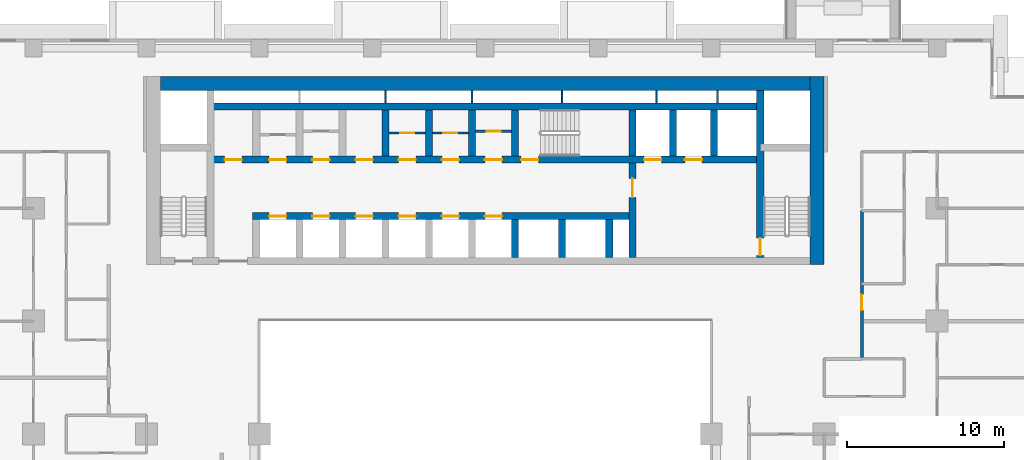
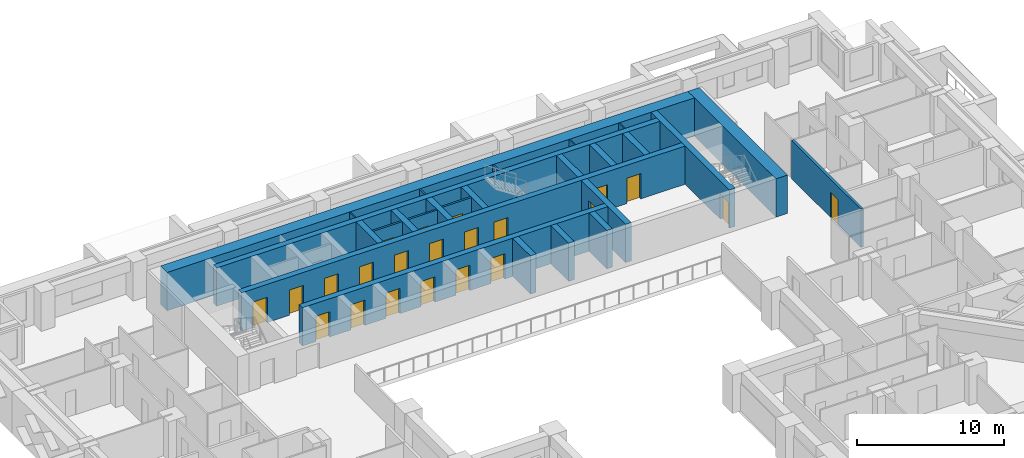
# One storey, part 10 of 16: 26 walls, 22 doors, 22 openings.
"""IFC4 building model written with IfcOpenShell, lengths in metres."""

from ifc_helpers import new_model, si_unit, direction, frame, frame_2d, origin, place, context, subcontext, project, spatial, rectangle, extrude, material, layer, layer_set, type_object, element, fill, save


model = new_model("IFC4")

# Units and contexts
model_context = context("Model", 3, precision=1e-05, world=origin(), true_north=direction((0.0, 1.0)))
body_context = subcontext(model_context, "Body", "Model", "MODEL_VIEW")
ifc_project = project(units=[si_unit("LENGTHUNIT", "METRE"), si_unit("AREAUNIT", "SQUARE_METRE"), si_unit("VOLUMEUNIT", "CUBIC_METRE"), si_unit("PLANEANGLEUNIT", "RADIAN"), si_unit("MASSUNIT", "GRAM", prefix="KILO")], contexts=[model_context])

# Site, building, storey
site_placement = place(None, origin())
site = spatial("IfcSite", under=ifc_project, at=site_placement, CompositionType="ELEMENT")
building_placement = place(site_placement, origin())
building = spatial("IfcBuilding", under=site, at=building_placement, Name="Saffron Iwan Residences", CompositionType="ELEMENT")
storey_placement = place(building_placement, frame((0.0, 0.0, 48.0)))
storey = spatial("IfcBuildingStorey", under=building, at=storey_placement, Name="L11", CompositionType="ELEMENT", Elevation=48.0)

# Wall, opening, door
ifc_material_1 = material(Name="Fire-rated plasterboard partition")
ifc_layer_1 = layer(ifc_material_1, 0.14990234375)
ifc_layer_set_1 = layer_set([ifc_layer_1], Name="Fire-rated plasterboard partition")
wall_type_1 = type_object("IfcWallType", Name="Core partition 150", PredefinedType="PARTITIONING", material=ifc_layer_set_1)
wall_1_placement = place(storey_placement, frame((44.27490234375, 74.39990234375, 0.0), z_axis=(0.0, 0.0, 1.0), x_axis=(1.0, 0.0, 0.0)))
wall_1 = element("IfcWall", 1, at=wall_1_placement, inside=storey, type_object=wall_type_1, Name="Core partition P03", PredefinedType="PARTITIONING", context=body_context, shape_type="SweptSolid", body=[
    extrude(rectangle(XDim=2.300048828125, YDim=0.14990234375, at=frame_2d((1.14990234375, 0.0))), origin(), (0.0, 0.0, 1.0), 3.179931640625),
])
opening_1_placement = place(wall_1_placement, frame((0.699951171875, 0.0, 0.0)))
opening_1 = element("IfcOpeningElement", 2, at=opening_1_placement, cuts=wall_1, Name="Opening SB", PredefinedType="OPENING", context=body_context, shape_type="SweptSolid", body=[
    extrude(rectangle(XDim=0.89990234375, YDim=2.10009765625, at=frame_2d((0.449951171875, 1.050048828125))), frame((0.0, 0.0849609375, 0.0), z_axis=(0.0, -1.0, 0.0), x_axis=(1.0, 0.0, 0.0)), (0.0, 0.0, 1.0), 0.169921875),
])
ifc_material_2 = material(Name="Steel fire door", Category="steel")
door_type_1 = type_object("IfcDoorType", Name="Store door 900", OperationType="NOTDEFINED", PredefinedType="DOOR", material=ifc_material_2)
door_1_placement = place(opening_1_placement, origin())
door_1 = element("IfcDoor", 3, at=door_1_placement, inside=storey, type_object=door_type_1, Name="Door Equipment store", OperationType="SINGLE_SWING_RIGHT", OverallHeight=2.10009765625, OverallWidth=0.89990234375, PredefinedType="DOOR", context=body_context, shape_type="SweptSolid", body=[
    extrude(rectangle(XDim=0.89990234375, YDim=2.10009765625, at=frame_2d((0.449951171875, 1.050048828125))), frame((0.0, 0.02490234375, 0.0), z_axis=(0.0, -1.0, 0.0), x_axis=(1.0, 0.0, 0.0)), (0.0, 0.0, 1.0), 0.050048828125),
])
fill(opening_1, door_1)

wall_2_placement = place(storey_placement, frame((47.02490234375, 74.39990234375, 0.0), z_axis=(0.0, 0.0, 1.0), x_axis=(1.0, 0.0, 0.0)))
wall_2 = element("IfcWall", 4, at=wall_2_placement, inside=storey, type_object=wall_type_1, Name="Core partition P04", PredefinedType="PARTITIONING", context=body_context, shape_type="SweptSolid", body=[
    extrude(rectangle(XDim=2.300048828125, YDim=0.14990234375, at=frame_2d((1.14990234375, 0.0))), origin(), (0.0, 0.0, 1.0), 3.179931640625),
])
opening_2_placement = place(wall_2_placement, frame((0.699951171875, 0.0, 0.0)))
opening_2 = element("IfcOpeningElement", 5, at=opening_2_placement, cuts=wall_2, Name="Opening SB", PredefinedType="OPENING", context=body_context, shape_type="SweptSolid", body=[
    extrude(rectangle(XDim=0.89990234375, YDim=2.10009765625, at=frame_2d((0.449951171875, 1.050048828125))), frame((0.0, 0.0849609375, 0.0), z_axis=(0.0, -1.0, 0.0), x_axis=(1.0, 0.0, 0.0)), (0.0, 0.0, 1.0), 0.169921875),
])
door_2_placement = place(opening_2_placement, origin())
door_2 = element("IfcDoor", 6, at=door_2_placement, inside=storey, type_object=door_type_1, Name="Door Mop store", OperationType="SINGLE_SWING_LEFT", OverallHeight=2.10009765625, OverallWidth=0.89990234375, PredefinedType="DOOR", context=body_context, shape_type="SweptSolid", body=[
    extrude(rectangle(XDim=0.89990234375, YDim=2.10009765625, at=frame_2d((0.449951171875, 1.050048828125))), frame((0.0, 0.02490234375, 0.0), z_axis=(0.0, -1.0, 0.0), x_axis=(1.0, 0.0, 0.0)), (0.0, 0.0, 1.0), 0.050048828125),
])
fill(opening_2, door_2)

wall_3_placement = place(storey_placement, frame((49.77490234375, 74.51806640625, 0.0), z_axis=(0.0, 0.0, 1.0), x_axis=(1.0, 0.0, 0.0)))
wall_3 = element("IfcWall", 7, at=wall_3_placement, inside=storey, type_object=wall_type_1, Name="Core partition P05", PredefinedType="PARTITIONING", context=body_context, shape_type="SweptSolid", body=[
    extrude(rectangle(XDim=2.300048828125, YDim=0.14990234375, at=frame_2d((1.14990234375, 0.0))), origin(), (0.0, 0.0, 1.0), 3.179931640625),
])
opening_3_placement = place(wall_3_placement, frame((0.699951171875, 0.0, 0.0)))
opening_3 = element("IfcOpeningElement", 8, at=opening_3_placement, cuts=wall_3, Name="Opening SB", PredefinedType="OPENING", context=body_context, shape_type="SweptSolid", body=[
    extrude(rectangle(XDim=0.89990234375, YDim=2.10009765625, at=frame_2d((0.449951171875, 1.050048828125))), frame((0.0, 0.0849609375, 0.0), z_axis=(0.0, -1.0, 0.0), x_axis=(1.0, 0.0, 0.0)), (0.0, 0.0, 1.0), 0.169921875),
])
door_3_placement = place(opening_3_placement, origin())
door_3 = element("IfcDoor", 9, at=door_3_placement, inside=storey, type_object=door_type_1, Name="Door Spares store", OperationType="SINGLE_SWING_LEFT", OverallHeight=2.10009765625, OverallWidth=0.89990234375, PredefinedType="DOOR", context=body_context, shape_type="SweptSolid", body=[
    extrude(rectangle(XDim=0.89990234375, YDim=2.10009765625, at=frame_2d((0.449951171875, 1.050048828125))), frame((0.0, 0.02490234375, 0.0), z_axis=(0.0, -1.0, 0.0), x_axis=(1.0, 0.0, 0.0)), (0.0, 0.0, 1.0), 0.050048828125),
])
fill(opening_3, door_3)

ifc_material_3 = material(Name="Fire-rated gypsum board wall")
ifc_layer_2 = layer(ifc_material_3, 0.199951171875)
ifc_layer_set_2 = layer_set([ifc_layer_2], Name="Fire-rated gypsum board wall")
wall_type_2 = type_object("IfcWallType", Name="Gallery wall 200", PredefinedType="SOLIDWALL", material=ifc_layer_set_2)
wall_4_placement = place(storey_placement, frame((74.39990234375, 60.0, 0.0), z_axis=(0.0, 0.0, 1.0), x_axis=(0.0, 1.0, 0.0)))
wall_4 = element("IfcWall", 10, at=wall_4_placement, inside=storey, type_object=wall_type_2, Name="W-L11-CORR-v74.4-60", PredefinedType="SOLIDWALL", context=body_context, shape_type="SweptSolid", body=[
    extrude(rectangle(XDim=9.449951171875, YDim=0.199951171875, at=frame_2d((4.72509765625, 0.0))), origin(), (0.0, 0.0, 1.0), 3.179931640625),
])
opening_4_placement = place(wall_4_placement, frame((3.10009765625, 0.0, 0.0)))
opening_4 = element("IfcOpeningElement", 11, at=opening_4_placement, cuts=wall_4, Name="Opening FD1", PredefinedType="OPENING", context=body_context, shape_type="SweptSolid", body=[
    extrude(rectangle(XDim=1.0, YDim=2.10009765625, at=frame_2d((0.5, 1.050048828125))), frame((0.0, 0.10986328125, 0.0), z_axis=(0.0, -1.0, 0.0), x_axis=(1.0, 0.0, 0.0)), (0.0, 0.0, 1.0), 0.219970703125),
])
ifc_material_4 = material(Name="Fire-rated timber door", Category="wood")
door_type_2 = type_object("IfcDoorType", Name="FD30S flat entrance door 1000", OperationType="NOTDEFINED", PredefinedType="DOOR", material=ifc_material_4)
door_4_placement = place(opening_4_placement, origin())
door_4 = element("IfcDoor", 12, at=door_4_placement, inside=storey, type_object=door_type_2, Name="Door L11-035", OperationType="SINGLE_SWING_RIGHT", OverallHeight=2.10009765625, OverallWidth=1.0, PredefinedType="DOOR", context=body_context, shape_type="SweptSolid", body=[
    extrude(rectangle(XDim=1.0, YDim=2.10009765625, at=frame_2d((0.5, 1.050048828125))), frame((0.0, 0.02490234375, 0.0), z_axis=(0.0, -1.0, 0.0), x_axis=(1.0, 0.0, 0.0)), (0.0, 0.0, 1.0), 0.050048828125),
])
fill(opening_4, door_4)

# Walls
ifc_layer_3 = layer(ifc_material_1, 0.10009765625)
ifc_layer_set_3 = layer_set([ifc_layer_3], Name="Fire-rated plasterboard partition")
wall_type_3 = type_object("IfcWallType", Name="Riser partition 100", PredefinedType="PARTITIONING", material=ifc_layer_set_3)
for number, where, z_axis, x_axis, name in (
    (13, (44.050048828125, 76.324951171875, 0.0), (0.0, 0.0, 1.0), (0.0, 1.0, 0.0), "Core partition P07"),
    (14, (49.550048828125, 76.324951171875, 0.0), (0.0, 0.0, 1.0), (0.0, 1.0, 0.0), "Core partition P08"),
    (15, (55.300048828125, 76.324951171875, 0.0), (0.0, 0.0, 1.0), (0.0, 1.0, 0.0), "Core partition P09"),
    (16, (61.300048828125, 76.324951171875, 0.0), (0.0, 0.0, 1.0), (0.0, 1.0, 0.0), "Core partition P10"),
    (17, (65.199951171875, 76.324951171875, 0.0), (0.0, 0.0, 1.0), (0.0, 1.0, 0.0), "Core partition P11"),
):
    element("IfcWall", number, at=place(storey_placement, frame(where, z_axis=z_axis, x_axis=x_axis)), inside=storey, type_object=wall_type_3, Name=name, PredefinedType="PARTITIONING", context=body_context, shape_type="SweptSolid", body=[
        extrude(rectangle(XDim=0.775146484375, YDim=0.10009765625, at=frame_2d((0.3876953125, 0.0))), origin(), (0.0, 0.0, 1.0), 3.179931640625),
    ])

# Wall, openings, doors
ifc_material_5 = material(Name="Concrete C60/75", Category="concrete")
ifc_layer_4 = layer(ifc_material_5, 0.449951171875)
ifc_layer_set_4 = layer_set([ifc_layer_4], Name="Concrete C60/75")
wall_type_4 = type_object("IfcWallType", Name="WALL CORE 450 C60/75 3180 HIGH", PredefinedType="SHEAR", material=ifc_layer_set_4)
wall_5_placement = place(storey_placement, frame((35.574951171875, 69.10009765625, 0.0), z_axis=(0.0, 0.0, 1.0), x_axis=(1.0, 0.0, 0.0)))
wall_5 = element("IfcWall", 18, at=wall_5_placement, inside=storey, type_object=wall_type_4, Name="Core wall", PredefinedType="SHEAR", context=body_context, shape_type="SweptSolid", body=[
    extrude(rectangle(XDim=24.199951171875, YDim=0.449951171875, at=frame_2d((12.10009765625, 0.0))), origin(), (0.0, 0.0, 1.0), 3.179931640625),
])
opening_5_placement = place(wall_5_placement, frame((1.050048828125, 0.0, 0.0)))
opening_5 = element("IfcOpeningElement", 19, at=opening_5_placement, cuts=wall_5, Name="Opening LD", PredefinedType="OPENING", context=body_context, shape_type="SweptSolid", body=[
    extrude(rectangle(XDim=1.10009765625, YDim=2.10009765625, at=frame_2d((0.550048828125, 1.050048828125))), frame((0.0, 0.23486328125, 0.0), z_axis=(0.0, -1.0, 0.0), x_axis=(1.0, 0.0, 0.0)), (0.0, 0.0, 1.0), 0.469970703125),
])
opening_6_placement = place(wall_5_placement, frame((3.800048828125, 0.0, 0.0)))
opening_6 = element("IfcOpeningElement", 20, at=opening_6_placement, cuts=wall_5, Name="Opening LD", PredefinedType="OPENING", context=body_context, shape_type="SweptSolid", body=[
    extrude(rectangle(XDim=1.10009765625, YDim=2.10009765625, at=frame_2d((0.550048828125, 1.050048828125))), frame((0.0, 0.23486328125, 0.0), z_axis=(0.0, -1.0, 0.0), x_axis=(1.0, 0.0, 0.0)), (0.0, 0.0, 1.0), 0.469970703125),
])
opening_7_placement = place(wall_5_placement, frame((6.550048828125, 0.0, 0.0)))
opening_7 = element("IfcOpeningElement", 21, at=opening_7_placement, cuts=wall_5, Name="Opening LD", PredefinedType="OPENING", context=body_context, shape_type="SweptSolid", body=[
    extrude(rectangle(XDim=1.10009765625, YDim=2.10009765625, at=frame_2d((0.550048828125, 1.050048828125))), frame((0.0, 0.23486328125, 0.0), z_axis=(0.0, -1.0, 0.0), x_axis=(1.0, 0.0, 0.0)), (0.0, 0.0, 1.0), 0.469970703125),
])
opening_8_placement = place(wall_5_placement, frame((9.300048828125, 0.0, 0.0)))
opening_8 = element("IfcOpeningElement", 22, at=opening_8_placement, cuts=wall_5, Name="Opening LD", PredefinedType="OPENING", context=body_context, shape_type="SweptSolid", body=[
    extrude(rectangle(XDim=1.10009765625, YDim=2.10009765625, at=frame_2d((0.550048828125, 1.050048828125))), frame((0.0, 0.23486328125, 0.0), z_axis=(0.0, -1.0, 0.0), x_axis=(1.0, 0.0, 0.0)), (0.0, 0.0, 1.0), 0.469970703125),
])
opening_9_placement = place(wall_5_placement, frame((12.050048828125, 0.0, 0.0)))
opening_9 = element("IfcOpeningElement", 23, at=opening_9_placement, cuts=wall_5, Name="Opening LD", PredefinedType="OPENING", context=body_context, shape_type="SweptSolid", body=[
    extrude(rectangle(XDim=1.10009765625, YDim=2.10009765625, at=frame_2d((0.550048828125, 1.050048828125))), frame((0.0, 0.23486328125, 0.0), z_axis=(0.0, -1.0, 0.0), x_axis=(1.0, 0.0, 0.0)), (0.0, 0.0, 1.0), 0.469970703125),
])
opening_10_placement = place(wall_5_placement, frame((14.800048828125, 0.0, 0.0)))
opening_10 = element("IfcOpeningElement", 24, at=opening_10_placement, cuts=wall_5, Name="Opening LD", PredefinedType="OPENING", context=body_context, shape_type="SweptSolid", body=[
    extrude(rectangle(XDim=1.10009765625, YDim=2.10009765625, at=frame_2d((0.550048828125, 1.050048828125))), frame((0.0, 0.23486328125, 0.0), z_axis=(0.0, -1.0, 0.0), x_axis=(1.0, 0.0, 0.0)), (0.0, 0.0, 1.0), 0.469970703125),
])
door_type_3 = type_object("IfcDoorType", Name="Lift landing door 1100", OperationType="SLIDING_TO_LEFT", PredefinedType="DOOR", material=ifc_material_2)
door_5_placement = place(opening_5_placement, origin())
door_5 = element("IfcDoor", 25, at=door_5_placement, inside=storey, type_object=door_type_3, Name="Landing doors LR1", OperationType="SLIDING_TO_LEFT", OverallHeight=2.10009765625, OverallWidth=1.10009765625, PredefinedType="DOOR", context=body_context, shape_type="SweptSolid", body=[
    extrude(rectangle(XDim=1.10009765625, YDim=2.10009765625, at=frame_2d((0.550048828125, 1.050048828125))), frame((0.0, 0.02490234375, 0.0), z_axis=(0.0, -1.0, 0.0), x_axis=(1.0, 0.0, 0.0)), (0.0, 0.0, 1.0), 0.050048828125),
])
fill(opening_5, door_5)
door_6_placement = place(opening_6_placement, origin())
door_6 = element("IfcDoor", 26, at=door_6_placement, inside=storey, type_object=door_type_3, Name="Landing doors LR2", OperationType="SLIDING_TO_LEFT", OverallHeight=2.10009765625, OverallWidth=1.10009765625, PredefinedType="DOOR", context=body_context, shape_type="SweptSolid", body=[
    extrude(rectangle(XDim=1.10009765625, YDim=2.10009765625, at=frame_2d((0.550048828125, 1.050048828125))), frame((0.0, 0.02490234375, 0.0), z_axis=(0.0, -1.0, 0.0), x_axis=(1.0, 0.0, 0.0)), (0.0, 0.0, 1.0), 0.050048828125),
])
fill(opening_6, door_6)
door_7_placement = place(opening_7_placement, origin())
door_7 = element("IfcDoor", 27, at=door_7_placement, inside=storey, type_object=door_type_3, Name="Landing doors LR3", OperationType="SLIDING_TO_LEFT", OverallHeight=2.10009765625, OverallWidth=1.10009765625, PredefinedType="DOOR", context=body_context, shape_type="SweptSolid", body=[
    extrude(rectangle(XDim=1.10009765625, YDim=2.10009765625, at=frame_2d((0.550048828125, 1.050048828125))), frame((0.0, 0.02490234375, 0.0), z_axis=(0.0, -1.0, 0.0), x_axis=(1.0, 0.0, 0.0)), (0.0, 0.0, 1.0), 0.050048828125),
])
fill(opening_7, door_7)
door_8_placement = place(opening_8_placement, origin())
door_8 = element("IfcDoor", 28, at=door_8_placement, inside=storey, type_object=door_type_3, Name="Landing doors LR4", OperationType="SLIDING_TO_LEFT", OverallHeight=2.10009765625, OverallWidth=1.10009765625, PredefinedType="DOOR", context=body_context, shape_type="SweptSolid", body=[
    extrude(rectangle(XDim=1.10009765625, YDim=2.10009765625, at=frame_2d((0.550048828125, 1.050048828125))), frame((0.0, 0.02490234375, 0.0), z_axis=(0.0, -1.0, 0.0), x_axis=(1.0, 0.0, 0.0)), (0.0, 0.0, 1.0), 0.050048828125),
])
fill(opening_8, door_8)
door_9_placement = place(opening_9_placement, origin())
door_9 = element("IfcDoor", 29, at=door_9_placement, inside=storey, type_object=door_type_3, Name="Landing doors LR5", OperationType="SLIDING_TO_LEFT", OverallHeight=2.10009765625, OverallWidth=1.10009765625, PredefinedType="DOOR", context=body_context, shape_type="SweptSolid", body=[
    extrude(rectangle(XDim=1.10009765625, YDim=2.10009765625, at=frame_2d((0.550048828125, 1.050048828125))), frame((0.0, 0.02490234375, 0.0), z_axis=(0.0, -1.0, 0.0), x_axis=(1.0, 0.0, 0.0)), (0.0, 0.0, 1.0), 0.050048828125),
])
fill(opening_9, door_9)
door_10_placement = place(opening_10_placement, origin())
door_10 = element("IfcDoor", 30, at=door_10_placement, inside=storey, type_object=door_type_3, Name="Landing doors LR6", OperationType="SLIDING_TO_LEFT", OverallHeight=2.10009765625, OverallWidth=1.10009765625, PredefinedType="DOOR", context=body_context, shape_type="SweptSolid", body=[
    extrude(rectangle(XDim=1.10009765625, YDim=2.10009765625, at=frame_2d((0.550048828125, 1.050048828125))), frame((0.0, 0.02490234375, 0.0), z_axis=(0.0, -1.0, 0.0), x_axis=(1.0, 0.0, 0.0)), (0.0, 0.0, 1.0), 0.050048828125),
])
fill(opening_10, door_10)

wall_6_placement = place(storey_placement, frame((32.875, 72.699951171875, 0.0), z_axis=(0.0, 0.0, 1.0), x_axis=(1.0, 0.0, 0.0)))
wall_6 = element("IfcWall", 31, at=wall_6_placement, inside=storey, type_object=wall_type_4, Name="Core wall", PredefinedType="SHEAR", context=body_context, shape_type="SweptSolid", body=[
    extrude(rectangle(XDim=35.050048828125, YDim=0.449951171875, at=frame_2d((17.52490234375, 0.0))), origin(), (0.0, 0.0, 1.0), 3.179931640625),
])
opening_11_placement = place(wall_6_placement, frame((19.800048828125, 0.0, 0.0)))
opening_11 = element("IfcOpeningElement", 32, at=opening_11_placement, cuts=wall_6, Name="Opening SD", PredefinedType="OPENING", context=body_context, shape_type="SweptSolid", body=[
    extrude(rectangle(XDim=1.10009765625, YDim=2.10009765625, at=frame_2d((0.550048828125, 1.050048828125))), frame((0.0, 0.23486328125, 0.0), z_axis=(0.0, -1.0, 0.0), x_axis=(1.0, 0.0, 0.0)), (0.0, 0.0, 1.0), 0.469970703125),
])
opening_12_placement = place(wall_6_placement, frame((27.64990234375, 0.0, 0.0)))
opening_12 = element("IfcOpeningElement", 33, at=opening_12_placement, cuts=wall_6, Name="Opening LD", PredefinedType="OPENING", context=body_context, shape_type="SweptSolid", body=[
    extrude(rectangle(XDim=1.10009765625, YDim=2.10009765625, at=frame_2d((0.550048828125, 1.050048828125))), frame((0.0, 0.23486328125, 0.0), z_axis=(0.0, -1.0, 0.0), x_axis=(1.0, 0.0, 0.0)), (0.0, 0.0, 1.0), 0.469970703125),
])
opening_13_placement = place(wall_6_placement, frame((30.25, 0.0, 0.0)))
opening_13 = element("IfcOpeningElement", 34, at=opening_13_placement, cuts=wall_6, Name="Opening LD", PredefinedType="OPENING", context=body_context, shape_type="SweptSolid", body=[
    extrude(rectangle(XDim=1.10009765625, YDim=2.10009765625, at=frame_2d((0.550048828125, 1.050048828125))), frame((0.0, 0.23486328125, 0.0), z_axis=(0.0, -1.0, 0.0), x_axis=(1.0, 0.0, 0.0)), (0.0, 0.0, 1.0), 0.469970703125),
])
opening_14_placement = place(wall_6_placement, frame((3.75, 0.0, 0.0)))
opening_14 = element("IfcOpeningElement", 35, at=opening_14_placement, cuts=wall_6, Name="Opening SR", PredefinedType="OPENING", context=body_context, shape_type="SweptSolid", body=[
    extrude(rectangle(XDim=1.10009765625, YDim=2.10009765625, at=frame_2d((0.550048828125, 1.050048828125))), frame((0.0, 0.23486328125, 0.0), z_axis=(0.0, -1.0, 0.0), x_axis=(1.0, 0.0, 0.0)), (0.0, 0.0, 1.0), 0.469970703125),
])
opening_15_placement = place(wall_6_placement, frame((6.5, 0.0, 0.0)))
opening_15 = element("IfcOpeningElement", 36, at=opening_15_placement, cuts=wall_6, Name="Opening SR", PredefinedType="OPENING", context=body_context, shape_type="SweptSolid", body=[
    extrude(rectangle(XDim=1.10009765625, YDim=2.10009765625, at=frame_2d((0.550048828125, 1.050048828125))), frame((0.0, 0.23486328125, 0.0), z_axis=(0.0, -1.0, 0.0), x_axis=(1.0, 0.0, 0.0)), (0.0, 0.0, 1.0), 0.469970703125),
])
opening_16_placement = place(wall_6_placement, frame((9.25, 0.0, 0.0)))
opening_16 = element("IfcOpeningElement", 37, at=opening_16_placement, cuts=wall_6, Name="Opening SR", PredefinedType="OPENING", context=body_context, shape_type="SweptSolid", body=[
    extrude(rectangle(XDim=1.10009765625, YDim=2.10009765625, at=frame_2d((0.550048828125, 1.050048828125))), frame((0.0, 0.23486328125, 0.0), z_axis=(0.0, -1.0, 0.0), x_axis=(1.0, 0.0, 0.0)), (0.0, 0.0, 1.0), 0.469970703125),
])
opening_17_placement = place(wall_6_placement, frame((12.0, 0.0, 0.0)))
opening_17 = element("IfcOpeningElement", 38, at=opening_17_placement, cuts=wall_6, Name="Opening SR", PredefinedType="OPENING", context=body_context, shape_type="SweptSolid", body=[
    extrude(rectangle(XDim=1.10009765625, YDim=2.10009765625, at=frame_2d((0.550048828125, 1.050048828125))), frame((0.0, 0.23486328125, 0.0), z_axis=(0.0, -1.0, 0.0), x_axis=(1.0, 0.0, 0.0)), (0.0, 0.0, 1.0), 0.469970703125),
])
opening_18_placement = place(wall_6_placement, frame((14.75, 0.0, 0.0)))
opening_18 = element("IfcOpeningElement", 39, at=opening_18_placement, cuts=wall_6, Name="Opening SR", PredefinedType="OPENING", context=body_context, shape_type="SweptSolid", body=[
    extrude(rectangle(XDim=1.10009765625, YDim=2.10009765625, at=frame_2d((0.550048828125, 1.050048828125))), frame((0.0, 0.23486328125, 0.0), z_axis=(0.0, -1.0, 0.0), x_axis=(1.0, 0.0, 0.0)), (0.0, 0.0, 1.0), 0.469970703125),
])
opening_19_placement = place(wall_6_placement, frame((17.5, 0.0, 0.0)))
opening_19 = element("IfcOpeningElement", 40, at=opening_19_placement, cuts=wall_6, Name="Opening SR", PredefinedType="OPENING", context=body_context, shape_type="SweptSolid", body=[
    extrude(rectangle(XDim=1.10009765625, YDim=2.10009765625, at=frame_2d((0.550048828125, 1.050048828125))), frame((0.0, 0.23486328125, 0.0), z_axis=(0.0, -1.0, 0.0), x_axis=(1.0, 0.0, 0.0)), (0.0, 0.0, 1.0), 0.469970703125),
])
opening_20_placement = place(wall_6_placement, frame((0.91259765625, 0.0, 0.0)))
opening_20 = element("IfcOpeningElement", 41, at=opening_20_placement, cuts=wall_6, Name="Opening SR", PredefinedType="OPENING", context=body_context, shape_type="SweptSolid", body=[
    extrude(rectangle(XDim=1.10009765625, YDim=2.10009765625, at=frame_2d((0.550048828125, 1.050048828125))), frame((0.0, 0.23486328125, 0.0), z_axis=(0.0, -1.0, 0.0), x_axis=(1.0, 0.0, 0.0)), (0.0, 0.0, 1.0), 0.469970703125),
])
door_11_placement = place(opening_12_placement, origin())
door_11 = element("IfcDoor", 42, at=door_11_placement, inside=storey, type_object=door_type_3, Name="Landing doors FF1", OperationType="SLIDING_TO_LEFT", OverallHeight=2.10009765625, OverallWidth=1.10009765625, PredefinedType="DOOR", context=body_context, shape_type="SweptSolid", body=[
    extrude(rectangle(XDim=1.10009765625, YDim=2.10009765625, at=frame_2d((0.550048828125, 1.050048828125))), frame((0.0, 0.02490234375, 0.0), z_axis=(0.0, -1.0, 0.0), x_axis=(1.0, 0.0, 0.0)), (0.0, 0.0, 1.0), 0.050048828125),
])
fill(opening_12, door_11)
door_12_placement = place(opening_13_placement, origin())
door_12 = element("IfcDoor", 43, at=door_12_placement, inside=storey, type_object=door_type_3, Name="Landing doors FF2", OperationType="SLIDING_TO_LEFT", OverallHeight=2.10009765625, OverallWidth=1.10009765625, PredefinedType="DOOR", context=body_context, shape_type="SweptSolid", body=[
    extrude(rectangle(XDim=1.10009765625, YDim=2.10009765625, at=frame_2d((0.550048828125, 1.050048828125))), frame((0.0, 0.02490234375, 0.0), z_axis=(0.0, -1.0, 0.0), x_axis=(1.0, 0.0, 0.0)), (0.0, 0.0, 1.0), 0.050048828125),
])
fill(opening_13, door_12)
door_type_4 = type_object("IfcDoorType", Name="Service door 1100", OperationType="NOTDEFINED", PredefinedType="DOOR", material=ifc_material_2)
door_13_placement = place(opening_14_placement, origin())
door_13 = element("IfcDoor", 44, at=door_13_placement, inside=storey, type_object=door_type_4, Name="Door Switch room", OperationType="SINGLE_SWING_LEFT", OverallHeight=2.10009765625, OverallWidth=1.10009765625, PredefinedType="DOOR", context=body_context, shape_type="SweptSolid", body=[
    extrude(rectangle(XDim=1.10009765625, YDim=2.10009765625, at=frame_2d((0.550048828125, 1.050048828125))), frame((0.0, 0.02490234375, 0.0), z_axis=(0.0, -1.0, 0.0), x_axis=(1.0, 0.0, 0.0)), (0.0, 0.0, 1.0), 0.050048828125),
])
fill(opening_14, door_13)
door_14_placement = place(opening_15_placement, origin())
door_14 = element("IfcDoor", 45, at=door_14_placement, inside=storey, type_object=door_type_4, Name="Door Furniture store", OperationType="SINGLE_SWING_LEFT", OverallHeight=2.10009765625, OverallWidth=1.10009765625, PredefinedType="DOOR", context=body_context, shape_type="SweptSolid", body=[
    extrude(rectangle(XDim=1.10009765625, YDim=2.10009765625, at=frame_2d((0.550048828125, 1.050048828125))), frame((0.0, 0.02490234375, 0.0), z_axis=(0.0, -1.0, 0.0), x_axis=(1.0, 0.0, 0.0)), (0.0, 0.0, 1.0), 0.050048828125),
])
fill(opening_15, door_14)
door_15_placement = place(opening_16_placement, origin())
door_15 = element("IfcDoor", 46, at=door_15_placement, inside=storey, type_object=door_type_4, Name="Door Housekeeping store", OperationType="SINGLE_SWING_LEFT", OverallHeight=2.10009765625, OverallWidth=1.10009765625, PredefinedType="DOOR", context=body_context, shape_type="SweptSolid", body=[
    extrude(rectangle(XDim=1.10009765625, YDim=2.10009765625, at=frame_2d((0.550048828125, 1.050048828125))), frame((0.0, 0.02490234375, 0.0), z_axis=(0.0, -1.0, 0.0), x_axis=(1.0, 0.0, 0.0)), (0.0, 0.0, 1.0), 0.050048828125),
])
fill(opening_16, door_15)
door_16_placement = place(opening_17_placement, origin())
door_16 = element("IfcDoor", 47, at=door_16_placement, inside=storey, type_object=door_type_4, Name="Door Cleaner's store", OperationType="SINGLE_SWING_LEFT", OverallHeight=2.10009765625, OverallWidth=1.10009765625, PredefinedType="DOOR", context=body_context, shape_type="SweptSolid", body=[
    extrude(rectangle(XDim=1.10009765625, YDim=2.10009765625, at=frame_2d((0.550048828125, 1.050048828125))), frame((0.0, 0.02490234375, 0.0), z_axis=(0.0, -1.0, 0.0), x_axis=(1.0, 0.0, 0.0)), (0.0, 0.0, 1.0), 0.050048828125),
])
fill(opening_17, door_16)
door_17_placement = place(opening_18_placement, origin())
door_17 = element("IfcDoor", 48, at=door_17_placement, inside=storey, type_object=door_type_4, Name="Door Trolley store", OperationType="SINGLE_SWING_LEFT", OverallHeight=2.10009765625, OverallWidth=1.10009765625, PredefinedType="DOOR", context=body_context, shape_type="SweptSolid", body=[
    extrude(rectangle(XDim=1.10009765625, YDim=2.10009765625, at=frame_2d((0.550048828125, 1.050048828125))), frame((0.0, 0.02490234375, 0.0), z_axis=(0.0, -1.0, 0.0), x_axis=(1.0, 0.0, 0.0)), (0.0, 0.0, 1.0), 0.050048828125),
])
fill(opening_18, door_17)
door_18_placement = place(opening_19_placement, origin())
door_18 = element("IfcDoor", 49, at=door_18_placement, inside=storey, type_object=door_type_4, Name="Door Communications room", OperationType="SINGLE_SWING_LEFT", OverallHeight=2.10009765625, OverallWidth=1.10009765625, PredefinedType="DOOR", context=body_context, shape_type="SweptSolid", body=[
    extrude(rectangle(XDim=1.10009765625, YDim=2.10009765625, at=frame_2d((0.550048828125, 1.050048828125))), frame((0.0, 0.02490234375, 0.0), z_axis=(0.0, -1.0, 0.0), x_axis=(1.0, 0.0, 0.0)), (0.0, 0.0, 1.0), 0.050048828125),
])
fill(opening_19, door_18)
door_19_placement = place(opening_20_placement, origin())
door_19 = element("IfcDoor", 50, at=door_19_placement, inside=storey, type_object=door_type_4, Name="Door Meter room", OperationType="SINGLE_SWING_LEFT", OverallHeight=2.10009765625, OverallWidth=1.10009765625, PredefinedType="DOOR", context=body_context, shape_type="SweptSolid", body=[
    extrude(rectangle(XDim=1.10009765625, YDim=2.10009765625, at=frame_2d((0.550048828125, 1.050048828125))), frame((0.0, 0.02490234375, 0.0), z_axis=(0.0, -1.0, 0.0), x_axis=(1.0, 0.0, 0.0)), (0.0, 0.0, 1.0), 0.050048828125),
])
fill(opening_20, door_19)
door_type_5 = type_object("IfcDoorType", Name="Stair door 1100", OperationType="NOTDEFINED", PredefinedType="DOOR", material=ifc_material_2)
door_20_placement = place(opening_11_placement, origin())
door_20 = element("IfcDoor", 51, at=door_20_placement, inside=storey, type_object=door_type_5, Name="Stair door ST-C", OperationType="SINGLE_SWING_LEFT", OverallHeight=2.10009765625, OverallWidth=1.10009765625, PredefinedType="DOOR", context=body_context, shape_type="SweptSolid", body=[
    extrude(rectangle(XDim=1.10009765625, YDim=2.10009765625, at=frame_2d((0.550048828125, 1.050048828125))), frame((0.0, 0.02490234375, 0.0), z_axis=(0.0, -1.0, 0.0), x_axis=(1.0, 0.0, 0.0)), (0.0, 0.0, 1.0), 0.050048828125),
])
fill(opening_11, door_20)

# Wall
wall_7_placement = place(storey_placement, frame((32.875, 76.10009765625, 0.0), z_axis=(0.0, 0.0, 1.0), x_axis=(1.0, 0.0, 0.0)))
element("IfcWall", 52, at=wall_7_placement, inside=storey, type_object=wall_type_4, Name="Core wall", PredefinedType="SHEAR", context=body_context, shape_type="SweptSolid", body=[
    extrude(rectangle(XDim=35.050048828125, YDim=0.449951171875, at=frame_2d((17.52490234375, 0.0))), origin(), (0.0, 0.0, 1.0), 3.179931640625),
])

# Wall, opening, door
wall_8_placement = place(storey_placement, frame((67.925048828125, 66.449951171875, 0.0), z_axis=(0.0, 0.0, 1.0), x_axis=(0.0, 1.0, 0.0)))
wall_8 = element("IfcWall", 53, at=wall_8_placement, inside=storey, type_object=wall_type_4, Name="Core wall", PredefinedType="SHEAR", context=body_context, shape_type="SweptSolid", body=[
    extrude(rectangle(XDim=10.650146484375, YDim=0.449951171875, at=frame_2d((5.3251953125, 0.0))), origin(), (0.0, 0.0, 1.0), 3.179931640625),
])
opening_21_placement = place(wall_8_placement, frame((0.14990234375, 0.0, 0.0)))
opening_21 = element("IfcOpeningElement", 54, at=opening_21_placement, cuts=wall_8, Name="Opening SD", PredefinedType="OPENING", context=body_context, shape_type="SweptSolid", body=[
    extrude(rectangle(XDim=1.10009765625, YDim=2.10009765625, at=frame_2d((0.550048828125, 1.050048828125))), frame((0.0, 0.23486328125, 0.0), z_axis=(0.0, -1.0, 0.0), x_axis=(1.0, 0.0, 0.0)), (0.0, 0.0, 1.0), 0.469970703125),
])
door_21_placement = place(opening_21_placement, origin())
door_21 = element("IfcDoor", 55, at=door_21_placement, inside=storey, type_object=door_type_5, Name="Stair door ST-E", OperationType="SINGLE_SWING_LEFT", OverallHeight=2.10009765625, OverallWidth=1.10009765625, PredefinedType="DOOR", context=body_context, shape_type="SweptSolid", body=[
    extrude(rectangle(XDim=1.10009765625, YDim=2.10009765625, at=frame_2d((0.550048828125, 1.050048828125))), frame((0.0, 0.02490234375, 0.0), z_axis=(0.0, -1.0, 0.0), x_axis=(1.0, 0.0, 0.0)), (0.0, 0.0, 1.0), 0.050048828125),
])
fill(opening_21, door_21)

wall_9_placement = place(storey_placement, frame((59.77490234375, 66.449951171875, 0.0), z_axis=(0.0, 0.0, 1.0), x_axis=(0.0, 1.0, 0.0)))
wall_9 = element("IfcWall", 56, at=wall_9_placement, inside=storey, type_object=wall_type_4, Name="Core wall", PredefinedType="SHEAR", context=body_context, shape_type="SweptSolid", body=[
    extrude(rectangle(XDim=6.025146484375, YDim=0.449951171875, at=frame_2d((3.0126953125, 0.0))), origin(), (0.0, 0.0, 1.0), 3.179931640625),
])
opening_22_placement = place(wall_9_placement, frame((3.85009765625, 0.0, 0.0)))
opening_22 = element("IfcOpeningElement", 57, at=opening_22_placement, cuts=wall_9, Name="Opening FD", PredefinedType="OPENING", context=body_context, shape_type="SweptSolid", body=[
    extrude(rectangle(XDim=1.199951171875, YDim=2.10009765625, at=frame_2d((0.60009765625, 1.050048828125))), frame((0.0, 0.23486328125, 0.0), z_axis=(0.0, -1.0, 0.0), x_axis=(1.0, 0.0, 0.0)), (0.0, 0.0, 1.0), 0.469970703125),
])
door_type_6 = type_object("IfcDoorType", Name="Firefighting lobby door 1200", OperationType="NOTDEFINED", PredefinedType="DOOR", material=ifc_material_2)
door_22_placement = place(opening_22_placement, origin())
door_22 = element("IfcDoor", 58, at=door_22_placement, inside=storey, type_object=door_type_6, Name="Firefighting lobby door", OperationType="SINGLE_SWING_RIGHT", OverallHeight=2.10009765625, OverallWidth=1.199951171875, PredefinedType="DOOR", context=body_context, shape_type="SweptSolid", body=[
    extrude(rectangle(XDim=1.199951171875, YDim=2.10009765625, at=frame_2d((0.60009765625, 1.050048828125))), frame((0.0, 0.02490234375, 0.0), z_axis=(0.0, -1.0, 0.0), x_axis=(1.0, 0.0, 0.0)), (0.0, 0.0, 1.0), 0.050048828125),
])
fill(opening_22, door_22)

# Walls
wall_10_placement = place(storey_placement, frame((59.77490234375, 72.925048828125, 0.0), z_axis=(0.0, 0.0, 1.0), x_axis=(0.0, 1.0, 0.0)))
element("IfcWall", 59, at=wall_10_placement, inside=storey, type_object=wall_type_4, Name="Core wall", PredefinedType="SHEAR", context=body_context, shape_type="SweptSolid", body=[
    extrude(rectangle(XDim=2.949951171875, YDim=0.449951171875, at=frame_2d((1.47509765625, 0.0))), origin(), (0.0, 0.0, 1.0), 3.179931640625),
])
for number, where, z_axis, x_axis, name in (
    (60, (52.300048828125, 66.449951171875, 0.0), (0.0, 0.0, 1.0), (0.0, 1.0, 0.0), "Core wall"),
    (61, (55.300048828125, 66.449951171875, 0.0), (0.0, 0.0, 1.0), (0.0, 1.0, 0.0), "Core wall"),
    (62, (58.300048828125, 66.449951171875, 0.0), (0.0, 0.0, 1.0), (0.0, 1.0, 0.0), "Core wall"),
):
    element("IfcWall", number, at=place(storey_placement, frame(where, z_axis=z_axis, x_axis=x_axis)), inside=storey, type_object=wall_type_4, Name=name, PredefinedType="SHEAR", context=body_context, shape_type="SweptSolid", body=[
        extrude(rectangle(XDim=2.425048828125, YDim=0.449951171875, at=frame_2d((1.21240234375, 0.0))), origin(), (0.0, 0.0, 1.0), 3.179931640625),
    ])
for number, where, z_axis, x_axis, name in (
    (63, (44.050048828125, 72.925048828125, 0.0), (0.0, 0.0, 1.0), (0.0, 1.0, 0.0), "Core wall"),
    (64, (46.800048828125, 72.925048828125, 0.0), (0.0, 0.0, 1.0), (0.0, 1.0, 0.0), "Core wall"),
    (65, (49.550048828125, 72.925048828125, 0.0), (0.0, 0.0, 1.0), (0.0, 1.0, 0.0), "Core wall"),
    (66, (52.300048828125, 72.925048828125, 0.0), (0.0, 0.0, 1.0), (0.0, 1.0, 0.0), "Core wall"),
    (67, (62.375, 72.925048828125, 0.0), (0.0, 0.0, 1.0), (0.0, 1.0, 0.0), "Core wall"),
    (68, (64.97509765625, 72.925048828125, 0.0), (0.0, 0.0, 1.0), (0.0, 1.0, 0.0), "Core wall"),
):
    element("IfcWall", number, at=place(storey_placement, frame(where, z_axis=z_axis, x_axis=x_axis)), inside=storey, type_object=wall_type_4, Name=name, PredefinedType="SHEAR", context=body_context, shape_type="SweptSolid", body=[
        extrude(rectangle(XDim=2.949951171875, YDim=0.449951171875, at=frame_2d((1.47509765625, 0.0))), origin(), (0.0, 0.0, 1.0), 3.179931640625),
    ])
ifc_layer_5 = layer(ifc_material_5, 0.89990234375)
ifc_layer_set_5 = layer_set([ifc_layer_5], Name="Concrete C60/75")
wall_type_5 = type_object("IfcWallType", Name="WALL CORE 900 C60/75 3180 HIGH", PredefinedType="SHEAR", material=ifc_layer_set_5)
wall_11_placement = place(storey_placement, frame((71.550048828125, 66.0, 0.0), z_axis=(0.0, 0.0, 1.0), x_axis=(0.0, 1.0, 0.0)))
element("IfcWall", 69, at=wall_11_placement, inside=storey, type_object=wall_type_5, Name="Core wall", PredefinedType="SHEAR", context=body_context, shape_type="SweptSolid", body=[
    extrude(rectangle(XDim=12.0, YDim=0.89990234375, at=frame_2d((6.0, 0.0))), origin(), (0.0, 0.0, 1.0), 3.179931640625),
])
wall_12_placement = place(storey_placement, frame((29.699951171875, 77.550048828125, 0.0), z_axis=(0.0, 0.0, 1.0), x_axis=(1.0, 0.0, 0.0)))
element("IfcWall", 70, at=wall_12_placement, inside=storey, type_object=wall_type_5, Name="Core wall", PredefinedType="SHEAR", context=body_context, shape_type="SweptSolid", body=[
    extrude(rectangle(XDim=41.400146484375, YDim=0.89990234375, at=frame_2d((20.7001953125, 0.0))), origin(), (0.0, 0.0, 1.0), 3.179931640625),
])

save(model, "model.ifc")
